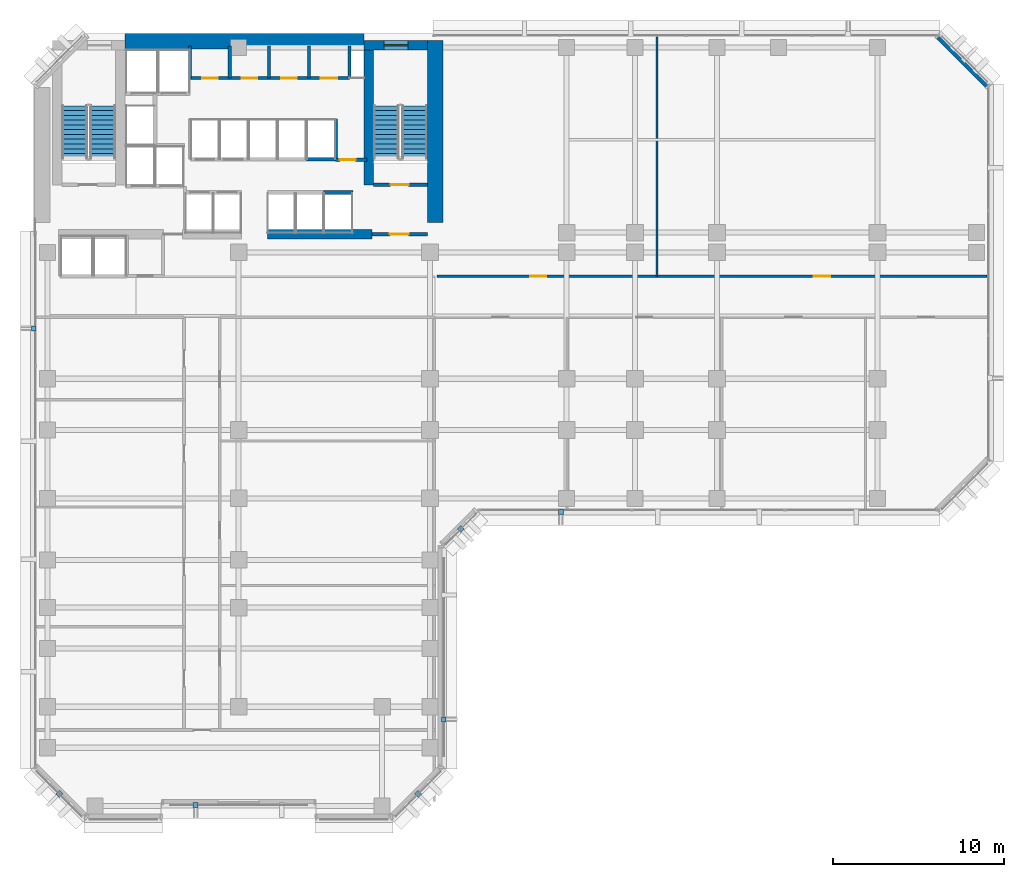
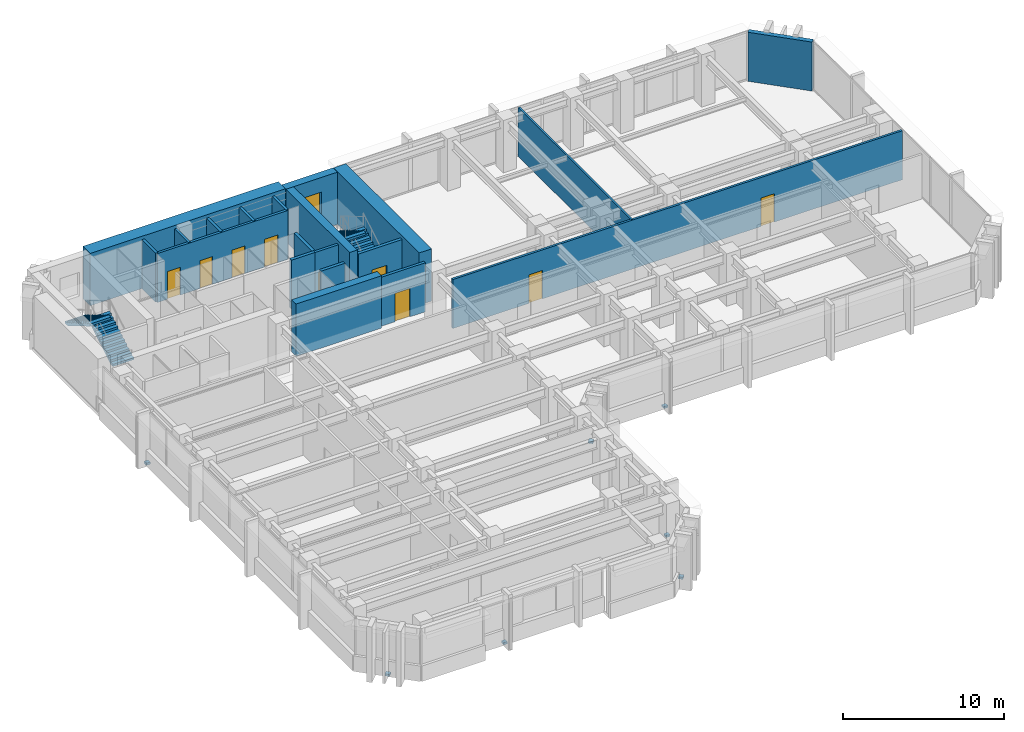
# One storey, part 8 of 14: 20 walls, 9 doors, 7 discrete accessories, 4 stair flights, 1 window, 10 openings, 2 elements without a shape of their own.
"""IFC4 building model written with IfcOpenShell, lengths in metres."""

from ifc_helpers import new_model, si_unit, direction, frame, frame_2d, origin, origin_2d, place, context, subcontext, project, spatial, polyline, rectangle, outline, extrude, material, layer, layer_set, type_object, element, fill, aggregate, save


model = new_model("IFC4")

# Units and contexts
model_context = context("Model", 3, precision=1e-05, world=origin(), true_north=direction((0.0, 1.0)))
body_context = subcontext(model_context, "Body", "Model", "MODEL_VIEW")
ifc_project = project(units=[si_unit("LENGTHUNIT", "METRE"), si_unit("AREAUNIT", "SQUARE_METRE"), si_unit("VOLUMEUNIT", "CUBIC_METRE"), si_unit("PLANEANGLEUNIT", "RADIAN"), si_unit("MASSUNIT", "GRAM", prefix="KILO")], contexts=[model_context])

# Site, building, storey
site_placement = place(None, origin())
site = spatial("IfcSite", under=ifc_project, at=site_placement, CompositionType="ELEMENT")
building_placement = place(site_placement, origin())
building = spatial("IfcBuilding", under=site, at=building_placement, Name="Kefirva Bronze Tower", CompositionType="ELEMENT")
storey_placement = place(building_placement, frame((0.0, 0.0, 50.159912109375)))
storey = spatial("IfcBuildingStorey", under=building, at=storey_placement, Name="L11", CompositionType="ELEMENT", Elevation=50.159912109375)

# Wall
ifc_material_1 = material(Name="Gypsum acoustic partition")
ifc_layer_1 = layer(ifc_material_1, 0.1298828125, Name="Gypsum acoustic partition")
ifc_layer_set_1 = layer_set([ifc_layer_1], Name="Gypsum acoustic partition")
wall_type_1 = type_object("IfcWallType", Name="Acoustic Office Partition 130mm", PredefinedType="PARTITIONING", material=ifc_layer_set_1)
wall_1_placement = place(storey_placement, frame((36.48388671875, 31.800048828125, 0.0), z_axis=(0.0, 0.0, 1.0), x_axis=(0.0, 1.0, 0.0)))
element("IfcWall", 1, at=wall_1_placement, inside=storey, type_object=wall_type_1, Name="L11 Partition W-L11-END1", PredefinedType="PARTITIONING", context=body_context, shape_type="SweptSolid", body=[
    extrude(rectangle(XDim=14.010009765625, YDim=0.1298828125, at=frame_2d((7.0048828125, 0.0))), origin(), (0.0, 0.0, 1.0), 3.710205078125),
])

# Wall, opening, door
ifc_material_2 = material(Name="Gypsum fireboard shaftwall")
ifc_layer_2 = layer(ifc_material_2, 0.219970703125, Name="Gypsum fireboard shaftwall")
ifc_layer_set_2 = layer_set([ifc_layer_2], Name="Gypsum fireboard shaftwall")
wall_type_2 = type_object("IfcWallType", Name="Fire-Rated Shaft Enclosure Wall 220mm", PredefinedType="PARTITIONING", material=ifc_layer_set_2)
wall_2_placement = place(storey_placement, frame((19.89990234375, 37.14990234375, 0.0), z_axis=(0.0, 0.0, 1.0), x_axis=(1.0, 0.0, 0.0)))
wall_2 = element("IfcWall", 2, at=wall_2_placement, inside=storey, type_object=wall_type_2, Name="L11 Partition W-L11-ST2S", PredefinedType="PARTITIONING", context=body_context, shape_type="SweptSolid", body=[
    extrude(rectangle(XDim=3.150146484375, YDim=0.219970703125, at=frame_2d((1.5751953125, 0.0))), origin(), (0.0, 0.0, 1.0), 3.710205078125),
])
opening_1_placement = place(wall_2_placement, frame((2.050048828125, 0.0, 0.0), z_axis=(0.0, 0.0, 1.0), x_axis=(-1.0, 0.0, 0.0)))
opening_1 = element("IfcOpeningElement", 3, at=opening_1_placement, cuts=wall_2, Name="Opening L11-D003", PredefinedType="OPENING", context=body_context, shape_type="SweptSolid", body=[
    extrude(rectangle(XDim=1.050048828125, YDim=2.14990234375, at=frame_2d((0.52490234375, 1.074951171875))), frame((0.0, 0.1201171875, 0.0), z_axis=(0.0, -1.0, 0.0), x_axis=(1.0, 0.0, 0.0)), (0.0, 0.0, 1.0), 0.239990234375),
])
ifc_material_3 = material(Name="Painted galvanized steel", Category="steel")
door_type_1 = type_object("IfcDoorType", Name="Fire Stair Enclosure Door 1050x2150 FD90S", OperationType="NOTDEFINED", PredefinedType="DOOR", material=ifc_material_3)
door_1_placement = place(opening_1_placement, origin())
door_1 = element("IfcDoor", 4, at=door_1_placement, inside=storey, type_object=door_type_1, Name="Door L11-D003", OperationType="SINGLE_SWING_LEFT", OverallHeight=2.14990234375, OverallWidth=1.050048828125, PredefinedType="DOOR", context=body_context, shape_type="SweptSolid", body=[
    extrude(rectangle(XDim=1.050048828125, YDim=2.14990234375, at=frame_2d((0.52490234375, 1.074951171875))), frame((0.0, 0.02490234375, 0.0), z_axis=(0.0, -1.0, 0.0), x_axis=(1.0, 0.0, 0.0)), (0.0, 0.0, 1.0), 0.050048828125),
])
fill(opening_1, door_1)

# Walls
wall_3_placement = place(storey_placement, frame((17.679931640625, 38.64990234375, 0.0), z_axis=(0.0, 0.0, 1.0), x_axis=(0.0, 1.0, 0.0)))
element("IfcWall", 5, at=wall_3_placement, inside=storey, type_object=wall_type_2, Name="L11 Partition W-L11-HP2E", PredefinedType="PARTITIONING", context=body_context, shape_type="SweptSolid", body=[
    extrude(rectangle(XDim=2.35009765625, YDim=0.199951171875, at=frame_2d((1.175048828125, 0.0))), origin(), (0.0, 0.0, 1.0), 3.710205078125),
])
wall_4_placement = place(storey_placement, frame((16.97998046875, 36.699951171875, 0.0), z_axis=(0.0, 0.0, 1.0), x_axis=(1.0, 0.0, 0.0)))
element("IfcWall", 6, at=wall_4_placement, inside=storey, type_object=wall_type_2, Name="L11 Partition W-L11-HPS", PredefinedType="PARTITIONING", context=body_context, shape_type="SweptSolid", body=[
    extrude(rectangle(XDim=1.699951171875, YDim=0.219970703125, at=frame_2d((0.85009765625, 0.0))), origin(), (0.0, 0.0, 1.0), 3.710205078125),
])
wall_5_placement = place(storey_placement, frame((15.97998046875, 38.64990234375, 0.0), z_axis=(0.0, 0.0, 1.0), x_axis=(1.0, 0.0, 0.0)))
element("IfcWall", 7, at=wall_5_placement, inside=storey, type_object=wall_type_2, Name="L11 Partition W-L11-HPN", PredefinedType="PARTITIONING", context=body_context, shape_type="SweptSolid", body=[
    extrude(rectangle(XDim=1.719970703125, YDim=0.219970703125, at=frame_2d((0.85986328125, 0.0))), origin(), (0.0, 0.0, 1.0), 3.710205078125),
])

# Wall, opening, door
ifc_material_4 = material(Name="Gypsum fireboard barrier")
ifc_layer_3 = layer(ifc_material_4, 0.199951171875, Name="Gypsum fireboard barrier")
ifc_layer_set_3 = layer_set([ifc_layer_3], Name="Gypsum fireboard barrier")
wall_type_3 = type_object("IfcWallType", Name="Firefighting Lobby Barrier Wall 200mm", PredefinedType="PARTITIONING", material=ifc_layer_set_3)
wall_6_placement = place(storey_placement, frame((19.800048828125, 34.25, 0.0), z_axis=(0.0, 0.0, 1.0), x_axis=(1.0, 0.0, 0.0)))
wall_6 = element("IfcWall", 8, at=wall_6_placement, inside=storey, type_object=wall_type_3, Name="L11 Partition W-L11-ST2F", PredefinedType="PARTITIONING", context=body_context, shape_type="SweptSolid", body=[
    extrude(rectangle(XDim=3.25, YDim=0.199951171875, at=frame_2d((1.625, 0.0))), origin(), (0.0, 0.0, 1.0), 3.710205078125),
])
opening_2_placement = place(wall_6_placement, frame((2.150146484375, 0.0, 0.0), z_axis=(0.0, 0.0, 1.0), x_axis=(-1.0, 0.0, 0.0)))
opening_2 = element("IfcOpeningElement", 9, at=opening_2_placement, cuts=wall_6, Name="Opening L11-D004", PredefinedType="OPENING", context=body_context, shape_type="SweptSolid", body=[
    extrude(rectangle(XDim=1.10009765625, YDim=2.14990234375, at=frame_2d((0.550048828125, 1.074951171875))), frame((0.0, 0.10986328125, 0.0), z_axis=(0.0, -1.0, 0.0), x_axis=(1.0, 0.0, 0.0)), (0.0, 0.0, 1.0), 0.219970703125),
])
door_type_2 = type_object("IfcDoorType", Name="Firefighting Lobby Smoke Door 1100x2150 FD60S", OperationType="NOTDEFINED", PredefinedType="DOOR", material=ifc_material_3)
door_2_placement = place(opening_2_placement, origin())
door_2 = element("IfcDoor", 10, at=door_2_placement, inside=storey, type_object=door_type_2, Name="Door L11-D004", OperationType="SINGLE_SWING_RIGHT", OverallHeight=2.14990234375, OverallWidth=1.10009765625, PredefinedType="DOOR", context=body_context, shape_type="SweptSolid", body=[
    extrude(rectangle(XDim=1.10009765625, YDim=2.14990234375, at=frame_2d((0.550048828125, 1.074951171875))), frame((0.0, 0.02490234375, 0.0), z_axis=(0.0, -1.0, 0.0), x_axis=(1.0, 0.0, 0.0)), (0.0, 0.0, 1.0), 0.050048828125),
])
fill(opening_2, door_2)

wall_7_placement = place(storey_placement, frame((17.679931640625, 38.6201171875, 0.0), z_axis=(0.0, 0.0, 1.0), x_axis=(1.0, 0.0, 0.0)))
wall_7 = element("IfcWall", 11, at=wall_7_placement, inside=storey, type_object=wall_type_3, Name="L11 Partition W-L11-CPASS", PredefinedType="PARTITIONING", context=body_context, shape_type="SweptSolid", body=[
    extrude(rectangle(XDim=1.840087890625, YDim=0.179931640625, at=frame_2d((0.919921875, 0.0))), origin(), (0.0, 0.0, 1.0), 3.710205078125),
])
opening_3_placement = place(wall_7_placement, frame((0.239990234375, 0.0, 0.0)))
opening_3 = element("IfcOpeningElement", 12, at=opening_3_placement, cuts=wall_7, Name="Opening L11-D-CPAS", PredefinedType="OPENING", context=body_context, shape_type="SweptSolid", body=[
    extrude(rectangle(XDim=0.919921875, YDim=2.10009765625, at=frame_2d((0.4599609375, 1.050048828125))), frame((0.0, 0.10009765625, 0.0), z_axis=(0.0, -1.0, 0.0), x_axis=(1.0, 0.0, 0.0)), (0.0, 0.0, 1.0), 0.199951171875),
])
ifc_material_5 = material(Name="Moisture-resistant timber", Category="wood")
door_type_3 = type_object("IfcDoorType", Name="Accessible Sanitary & WC Door 920x2100", OperationType="NOTDEFINED", PredefinedType="DOOR", material=ifc_material_5)
door_3_placement = place(opening_3_placement, origin())
door_3 = element("IfcDoor", 13, at=door_3_placement, inside=storey, type_object=door_type_3, Name="Door L11-D-CPAS", OperationType="SINGLE_SWING_LEFT", OverallHeight=2.10009765625, OverallWidth=0.919921875, PredefinedType="DOOR", context=body_context, shape_type="SweptSolid", body=[
    extrude(rectangle(XDim=0.919921875, YDim=2.10009765625, at=frame_2d((0.4599609375, 1.050048828125))), frame((0.0, 0.02490234375, 0.0), z_axis=(0.0, -1.0, 0.0), x_axis=(1.0, 0.0, 0.0)), (0.0, 0.0, 1.0), 0.050048828125),
])
fill(opening_3, door_3)

# Wall
ifc_material_6 = material(Name="Precast concrete C40/50", Category="concrete")
ifc_layer_4 = layer(ifc_material_6, 0.320068359375, Name="Precast concrete C40/50")
ifc_layer_set_4 = layer_set([ifc_layer_4], Name="Precast concrete C40/50")
wall_type_4 = type_object("IfcWallType", Name="Precast Insulated Exterior Wall 320mm", PredefinedType="SOLIDWALL", material=ifc_layer_set_4)
wall_8_placement = place(storey_placement, frame((55.847900390625, 42.92578125, 0.0), z_axis=(0.0, 0.0, 1.0), x_axis=(-0.707106781187, 0.707106781187, 0.0)))
element("IfcWall", 14, at=wall_8_placement, inside=storey, type_object=wall_type_4, Name="L11 Exterior Facade Wall 8", PredefinedType="SOLIDWALL", context=body_context, shape_type="SweptSolid", body=[
    extrude(rectangle(XDim=4.132568359375, YDim=0.320068359375, at=frame_2d((2.06640625, 0.0))), origin(), (0.0, 0.0, 1.0), 3.710205078125),
])

# Wall, openings, doors
ifc_layer_5 = layer(ifc_material_1, 0.159912109375, Name="Gypsum acoustic partition")
ifc_layer_set_5 = layer_set([ifc_layer_5], Name="Gypsum acoustic partition")
wall_type_5 = type_object("IfcWallType", Name="Protected Corridor Partition 160mm", PredefinedType="PARTITIONING", material=ifc_layer_set_5)
wall_9_placement = place(storey_placement, frame((23.60009765625, 31.800048828125, 0.0), z_axis=(0.0, 0.0, 1.0), x_axis=(1.0, 0.0, 0.0)))
wall_9 = element("IfcWall", 15, at=wall_9_placement, inside=storey, type_object=wall_type_5, Name="L11 Partition W-L11-EWN", PredefinedType="PARTITIONING", context=body_context, shape_type="SweptSolid", body=[
    extrude(rectangle(XDim=32.2099609375, YDim=0.159912109375, at=frame_2d((16.10498046875, 0.0))), origin(), (0.0, 0.0, 1.0), 3.710205078125),
])
opening_4_placement = place(wall_9_placement, frame((5.467041015625, 0.0, 0.0)))
opening_4 = element("IfcOpeningElement", 16, at=opening_4_placement, cuts=wall_9, Name="Opening L11-D-EN1", PredefinedType="OPENING", context=body_context, shape_type="SweptSolid", body=[
    extrude(rectangle(XDim=0.949951171875, YDim=2.14990234375, at=frame_2d((0.47509765625, 1.074951171875))), frame((0.0, 0.08984375, 0.0), z_axis=(0.0, -1.0, 0.0), x_axis=(1.0, 0.0, 0.0)), (0.0, 0.0, 1.0), 0.179931640625),
])
opening_5_placement = place(wall_9_placement, frame((22.072021484375, 0.0, 0.0)))
opening_5 = element("IfcOpeningElement", 17, at=opening_5_placement, cuts=wall_9, Name="Opening L11-D-EN2", PredefinedType="OPENING", context=body_context, shape_type="SweptSolid", body=[
    extrude(rectangle(XDim=0.949951171875, YDim=2.14990234375, at=frame_2d((0.47509765625, 1.074951171875))), frame((0.0, 0.08984375, 0.0), z_axis=(0.0, -1.0, 0.0), x_axis=(1.0, 0.0, 0.0)), (0.0, 0.0, 1.0), 0.179931640625),
])
ifc_material_7 = material(Name="Acoustic hardwood oak", Category="wood")
door_type_4 = type_object("IfcDoorType", Name="Office & Meeting Room Door 950x2150", OperationType="NOTDEFINED", PredefinedType="DOOR", material=ifc_material_7)
door_4_placement = place(opening_4_placement, origin())
door_4 = element("IfcDoor", 18, at=door_4_placement, inside=storey, type_object=door_type_4, Name="Door L11-D-EN1", OperationType="SINGLE_SWING_LEFT", OverallHeight=2.14990234375, OverallWidth=0.949951171875, PredefinedType="DOOR", context=body_context, shape_type="SweptSolid", body=[
    extrude(rectangle(XDim=0.949951171875, YDim=2.14990234375, at=frame_2d((0.47509765625, 1.074951171875))), frame((0.0, 0.02490234375, 0.0), z_axis=(0.0, -1.0, 0.0), x_axis=(1.0, 0.0, 0.0)), (0.0, 0.0, 1.0), 0.050048828125),
])
fill(opening_4, door_4)
door_5_placement = place(opening_5_placement, origin())
door_5 = element("IfcDoor", 19, at=door_5_placement, inside=storey, type_object=door_type_4, Name="Door L11-D-EN2", OperationType="SINGLE_SWING_RIGHT", OverallHeight=2.14990234375, OverallWidth=0.949951171875, PredefinedType="DOOR", context=body_context, shape_type="SweptSolid", body=[
    extrude(rectangle(XDim=0.949951171875, YDim=2.14990234375, at=frame_2d((0.47509765625, 1.074951171875))), frame((0.0, 0.02490234375, 0.0), z_axis=(0.0, -1.0, 0.0), x_axis=(1.0, 0.0, 0.0)), (0.0, 0.0, 1.0), 0.050048828125),
])
fill(opening_5, door_5)

# Wall, opening, window
ifc_material_8 = material(Name="Concrete C50/60", Category="concrete")
ifc_layer_6 = layer(ifc_material_8, 0.550048828125, Name="Concrete C50/60")
ifc_layer_set_6 = layer_set([ifc_layer_6], Name="Concrete C50/60")
wall_type_6 = type_object("IfcWallType", Name="RC Rear Core Exterior Wall 550mm", PredefinedType="SHEAR", material=ifc_layer_set_6)
wall_10_placement = place(storey_placement, frame((19.35009765625, 45.320068359375, 0.0), z_axis=(0.0, 0.0, 1.0), x_axis=(1.0, 0.0, 0.0)))
wall_10 = element("IfcWall", 20, at=wall_10_placement, inside=storey, type_object=wall_type_6, Name="L11 Stair 2 North Shear Wall", PredefinedType="SHEAR", context=body_context, shape_type="SweptSolid", body=[
    extrude(rectangle(XDim=3.68994140625, YDim=0.550048828125, at=frame_2d((1.844970703125, 0.0))), origin(), (0.0, 0.0, 1.0), 3.960205078125),
])
opening_6_placement = place(wall_10_placement, frame((1.14990234375, 0.0, 1.050048828125)))
opening_6 = element("IfcOpeningElement", 21, at=opening_6_placement, cuts=wall_10, Name="Opening WN-03", PredefinedType="OPENING", context=body_context, shape_type="SweptSolid", body=[
    extrude(rectangle(XDim=1.39990234375, YDim=1.800048828125, at=frame_2d((0.699951171875, 0.89990234375))), frame((0.0, 0.28515625, 0.0), z_axis=(0.0, -1.0, 0.0), x_axis=(1.0, 0.0, 0.0)), (0.0, 0.0, 1.0), 0.570068359375),
])
ifc_material_9 = material(Name="Laminated low-E double glazing", Category="glass")
window_type = type_object("IfcWindowType", Name="Rear-Core Stair Daylight Window 1400x1800", PartitioningType="SINGLE_PANEL", PredefinedType="WINDOW", material=ifc_material_9)
window_placement = place(opening_6_placement, origin())
window = element("IfcWindow", 22, at=window_placement, inside=storey, type_object=window_type, Name="L11 Stair 2 Daylight Window", OverallHeight=1.800048828125, OverallWidth=1.39990234375, PartitioningType="SINGLE_PANEL", PredefinedType="WINDOW", context=body_context, shape_type="SweptSolid", body=[
    extrude(rectangle(XDim=1.39990234375, YDim=1.800048828125, at=frame_2d((0.699951171875, 0.89990234375))), frame((0.0, 0.030029296875, 0.0), z_axis=(0.0, -1.0, 0.0), x_axis=(1.0, 0.0, 0.0)), (0.0, 0.0, 1.0), 0.06005859375),
])
fill(opening_6, window)

# Walls
ifc_material_10 = material(Name="Concrete C60/75", Category="concrete")
ifc_layer_7 = layer(ifc_material_10, 0.89990234375, Name="Concrete C60/75")
ifc_layer_set_7 = layer_set([ifc_layer_7], Name="Concrete C60/75")
wall_type_7 = type_object("IfcWallType", Name="RC Rear Core Exterior Wall 900mm", PredefinedType="SHEAR", material=ifc_layer_set_7)
wall_11_placement = place(storey_placement, frame((5.360107421875, 45.550048828125, 0.0), z_axis=(0.0, 0.0, 1.0), x_axis=(1.0, 0.0, 0.0)))
element("IfcWall", 23, at=wall_11_placement, inside=storey, type_object=wall_type_7, Name="L11 Rear Core North Shear Wall", PredefinedType="SHEAR", context=body_context, shape_type="SweptSolid", body=[
    extrude(rectangle(XDim=13.97998046875, YDim=0.89990234375, at=frame_2d((6.989990234375, 0.0))), origin(), (0.0, 0.0, 1.0), 3.960205078125),
])
ifc_layer_8 = layer(ifc_material_8, 0.550048828125, Name="Concrete C50/60")
ifc_layer_set_8 = layer_set([ifc_layer_8], Name="Concrete C50/60")
wall_type_8 = type_object("IfcWallType", Name="RC Rear Core Interior Wall 550mm", PredefinedType="SHEAR", material=ifc_layer_set_8)
wall_12_placement = place(storey_placement, frame((19.6201171875, 37.14990234375, 0.0), z_axis=(0.0, 0.0, 1.0), x_axis=(0.0, 1.0, 0.0)))
element("IfcWall", 24, at=wall_12_placement, inside=storey, type_object=wall_type_8, Name="L11 Stair 2 West Shear Wall", PredefinedType="SHEAR", context=body_context, shape_type="SweptSolid", body=[
    extrude(rectangle(XDim=7.89013671875, YDim=0.550048828125, at=frame_2d((3.945068359375, 0.0))), origin(), (0.0, 0.0, 1.0), 3.960205078125),
])
ifc_layer_9 = layer(ifc_material_10, 0.89990234375, Name="Concrete C60/75")
ifc_layer_set_9 = layer_set([ifc_layer_9], Name="Concrete C60/75")
wall_type_9 = type_object("IfcWallType", Name="RC Rear Core Interior Wall 900mm", PredefinedType="SHEAR", material=ifc_layer_set_9)
wall_13_placement = place(storey_placement, frame((23.5, 34.949951171875, 0.0), z_axis=(0.0, 0.0, 1.0), x_axis=(0.0, 1.0, 0.0)))
element("IfcWall", 25, at=wall_13_placement, inside=storey, type_object=wall_type_9, Name="L11 Rear Core East Shear Wall", PredefinedType="SHEAR", context=body_context, shape_type="SweptSolid", body=[
    extrude(rectangle(XDim=10.64013671875, YDim=0.89990234375, at=frame_2d((5.320068359375, 0.0))), origin(), (0.0, 0.0, 1.0), 3.960205078125),
])
wall_14_placement = place(storey_placement, frame((13.679931640625, 34.25, 0.0), z_axis=(0.0, 0.0, 1.0), x_axis=(1.0, 0.0, 0.0)))
element("IfcWall", 26, at=wall_14_placement, inside=storey, type_object=wall_type_9, Name="L11 Rear Core South-East Shear Wall", PredefinedType="SHEAR", context=body_context, shape_type="SweptSolid", body=[
    extrude(rectangle(XDim=6.1201171875, YDim=0.550048828125, at=frame_2d((3.06005859375, 0.0))), origin(), (0.0, 0.0, 1.0), 3.960205078125),
])

# Wall, openings, doors
ifc_material_11 = material(Name="Moisture-resistant partition")
ifc_layer_10 = layer(ifc_material_11, 0.179931640625, Name="Moisture-resistant partition")
ifc_layer_set_10 = layer_set([ifc_layer_10], Name="Moisture-resistant partition")
wall_type_10 = type_object("IfcWallType", Name="Sanitary Plumbing Chase Wall 180mm", PredefinedType="PLUMBINGWALL", material=ifc_layer_set_10)
wall_15_placement = place(storey_placement, frame((9.14990234375, 43.39990234375, 0.0), z_axis=(0.0, 0.0, 1.0), x_axis=(1.0, 0.0, 0.0)))
wall_15 = element("IfcWall", 27, at=wall_15_placement, inside=storey, type_object=wall_type_10, Name="L11 Partition W-L11-SVCS", PredefinedType="PLUMBINGWALL", context=body_context, shape_type="SweptSolid", body=[
    extrude(rectangle(XDim=9.330078125, YDim=0.179931640625, at=frame_2d((4.6650390625, 0.0))), origin(), (0.0, 0.0, 1.0), 3.710205078125),
])
opening_7_placement = place(wall_15_placement, frame((0.719970703125, 0.0, 0.0)))
opening_7 = element("IfcOpeningElement", 28, at=opening_7_placement, cuts=wall_15, Name="Opening L11-D-CSVC1", PredefinedType="OPENING", context=body_context, shape_type="SweptSolid", body=[
    extrude(rectangle(XDim=0.919921875, YDim=2.10009765625, at=frame_2d((0.4599609375, 1.050048828125))), frame((0.0, 0.10009765625, 0.0), z_axis=(0.0, -1.0, 0.0), x_axis=(1.0, 0.0, 0.0)), (0.0, 0.0, 1.0), 0.199951171875),
])
opening_8_placement = place(wall_15_placement, frame((3.02001953125, 0.0, 0.0)))
opening_8 = element("IfcOpeningElement", 29, at=opening_8_placement, cuts=wall_15, Name="Opening L11-D-CSVC2", PredefinedType="OPENING", context=body_context, shape_type="SweptSolid", body=[
    extrude(rectangle(XDim=0.919921875, YDim=2.10009765625, at=frame_2d((0.4599609375, 1.050048828125))), frame((0.0, 0.10009765625, 0.0), z_axis=(0.0, -1.0, 0.0), x_axis=(1.0, 0.0, 0.0)), (0.0, 0.0, 1.0), 0.199951171875),
])
opening_9_placement = place(wall_15_placement, frame((5.340087890625, 0.0, 0.0)))
opening_9 = element("IfcOpeningElement", 30, at=opening_9_placement, cuts=wall_15, Name="Opening L11-D-CSVC3", PredefinedType="OPENING", context=body_context, shape_type="SweptSolid", body=[
    extrude(rectangle(XDim=0.919921875, YDim=2.10009765625, at=frame_2d((0.4599609375, 1.050048828125))), frame((0.0, 0.10009765625, 0.0), z_axis=(0.0, -1.0, 0.0), x_axis=(1.0, 0.0, 0.0)), (0.0, 0.0, 1.0), 0.199951171875),
])
opening_10_placement = place(wall_15_placement, frame((7.659912109375, 0.0, 0.0)))
opening_10 = element("IfcOpeningElement", 31, at=opening_10_placement, cuts=wall_15, Name="Opening L11-D-CSVC4", PredefinedType="OPENING", context=body_context, shape_type="SweptSolid", body=[
    extrude(rectangle(XDim=0.949951171875, YDim=2.10009765625, at=frame_2d((0.47509765625, 1.050048828125))), frame((0.0, 0.10009765625, 0.0), z_axis=(0.0, -1.0, 0.0), x_axis=(1.0, 0.0, 0.0)), (0.0, 0.0, 1.0), 0.199951171875),
])
door_6_placement = place(opening_7_placement, origin())
door_6 = element("IfcDoor", 32, at=door_6_placement, inside=storey, type_object=door_type_3, Name="Door L11-D-CSVC1", OperationType="SINGLE_SWING_LEFT", OverallHeight=2.10009765625, OverallWidth=0.919921875, PredefinedType="DOOR", context=body_context, shape_type="SweptSolid", body=[
    extrude(rectangle(XDim=0.919921875, YDim=2.10009765625, at=frame_2d((0.4599609375, 1.050048828125))), frame((0.0, 0.02490234375, 0.0), z_axis=(0.0, -1.0, 0.0), x_axis=(1.0, 0.0, 0.0)), (0.0, 0.0, 1.0), 0.050048828125),
])
fill(opening_7, door_6)
door_7_placement = place(opening_8_placement, origin())
door_7 = element("IfcDoor", 33, at=door_7_placement, inside=storey, type_object=door_type_3, Name="Door L11-D-CSVC2", OperationType="SINGLE_SWING_RIGHT", OverallHeight=2.10009765625, OverallWidth=0.919921875, PredefinedType="DOOR", context=body_context, shape_type="SweptSolid", body=[
    extrude(rectangle(XDim=0.919921875, YDim=2.10009765625, at=frame_2d((0.4599609375, 1.050048828125))), frame((0.0, 0.02490234375, 0.0), z_axis=(0.0, -1.0, 0.0), x_axis=(1.0, 0.0, 0.0)), (0.0, 0.0, 1.0), 0.050048828125),
])
fill(opening_8, door_7)
door_8_placement = place(opening_9_placement, origin())
door_8 = element("IfcDoor", 34, at=door_8_placement, inside=storey, type_object=door_type_3, Name="Door L11-D-CSVC3", OperationType="SINGLE_SWING_LEFT", OverallHeight=2.10009765625, OverallWidth=0.919921875, PredefinedType="DOOR", context=body_context, shape_type="SweptSolid", body=[
    extrude(rectangle(XDim=0.919921875, YDim=2.10009765625, at=frame_2d((0.4599609375, 1.050048828125))), frame((0.0, 0.02490234375, 0.0), z_axis=(0.0, -1.0, 0.0), x_axis=(1.0, 0.0, 0.0)), (0.0, 0.0, 1.0), 0.050048828125),
])
fill(opening_9, door_8)
door_type_5 = type_object("IfcDoorType", Name="Riser & Plant Shaft Fire Door 950x2100 FD60S", OperationType="NOTDEFINED", PredefinedType="DOOR", material=ifc_material_3)
door_9_placement = place(opening_10_placement, origin())
door_9 = element("IfcDoor", 35, at=door_9_placement, inside=storey, type_object=door_type_5, Name="Door L11-D-CSVC4", OperationType="SINGLE_SWING_RIGHT", OverallHeight=2.10009765625, OverallWidth=0.949951171875, PredefinedType="DOOR", context=body_context, shape_type="SweptSolid", body=[
    extrude(rectangle(XDim=0.949951171875, YDim=2.10009765625, at=frame_2d((0.47509765625, 1.050048828125))), frame((0.0, 0.02490234375, 0.0), z_axis=(0.0, -1.0, 0.0), x_axis=(1.0, 0.0, 0.0)), (0.0, 0.0, 1.0), 0.050048828125),
])
fill(opening_10, door_9)

# Walls
for number, where, z_axis, x_axis, name in (
    (36, (9.14990234375, 43.39990234375, 0.0), (0.0, 0.0, 1.0), (0.0, 1.0, 0.0), "L11 Partition W-L11-SVCW"),
    (37, (18.47998046875, 43.39990234375, 0.0), (0.0, 0.0, 1.0), (0.0, 1.0, 0.0), "L11 Partition W-L11-SVCE"),
    (38, (11.47998046875, 43.39990234375, 0.0), (0.0, 0.0, 1.0), (0.0, 1.0, 0.0), "L11 Partition W-L11-CSVD-1"),
    (39, (13.780029296875, 43.39990234375, 0.0), (0.0, 0.0, 1.0), (0.0, 1.0, 0.0), "L11 Partition W-L11-CSVD-2"),
    (40, (16.1201171875, 43.39990234375, 0.0), (0.0, 0.0, 1.0), (0.0, 1.0, 0.0), "L11 Partition W-L11-CSVD-3"),
):
    element("IfcWall", number, at=place(storey_placement, frame(where, z_axis=z_axis, x_axis=x_axis)), inside=storey, type_object=wall_type_10, Name=name, PredefinedType="PLUMBINGWALL", context=body_context, shape_type="SweptSolid", body=[
        extrude(rectangle(XDim=1.880126953125, YDim=0.179931640625, at=frame_2d((0.93994140625, 0.0))), origin(), (0.0, 0.0, 1.0), 3.710205078125),
    ])

# Stair, stair flights
ifc_material_12 = material(Name="Concrete C40/50", Category="concrete")
stair_type = type_object("IfcStairType", Name="RC Dogleg Protected Stair 24R", PredefinedType="HALF_TURN_STAIR", material=ifc_material_12)
stair_1_placement = place(storey_placement, origin())
stair_1 = element("IfcStair", 41, at=stair_1_placement, inside=storey, type_object=stair_type, Name="L11 Protected Exit Stair 1", PredefinedType="HALF_TURN_STAIR")
stair_flight_type = type_object("IfcStairFlightType", Name="RC Straight Stair Flight 24R", PredefinedType="STRAIGHT", material=ifc_material_12)
stair_flight_1_placement = place(storey_placement, frame((4.050048828125, 38.699951171875, 0.0), z_axis=(0.0, 0.0, 1.0), x_axis=(0.0, 1.0, 0.0)))
stair_flight_1 = element("IfcStairFlight", 42, at=stair_flight_1_placement, type_object=stair_flight_type, Name="ST-1 flight 1", NumberOfRisers=12, NumberOfTreads=11, PredefinedType="STRAIGHT", RiserHeight=0.165, TreadLength=0.28, context=body_context, shape_type="SweptSolid", body=[
    extrude(outline(polyline([(0.0, 0.0), (0.0, 0.1650390625), (0.280029296875, 0.1650390625), (0.280029296875, 0.330078125), (0.56005859375, 0.330078125), (0.56005859375, 0.4951171875), (0.840087890625, 0.4951171875), (0.840087890625, 0.659912109375), (1.1201171875, 0.659912109375), (1.1201171875, 0.824951171875), (1.39990234375, 0.824951171875), (1.39990234375, 0.989990234375), (1.679931640625, 0.989990234375), (1.679931640625, 1.155029296875), (1.9599609375, 1.155029296875), (1.9599609375, 1.320068359375), (2.239990234375, 1.320068359375), (2.239990234375, 1.485107421875), (2.52001953125, 1.485107421875), (2.52001953125, 1.64990234375), (2.800048828125, 1.64990234375), (2.800048828125, 1.81494140625), (3.080078125, 1.81494140625), (3.080078125, 1.97998046875), (3.080078125, 1.64111328125), (0.295166015625, 0.0), (0.0, 0.0)])), frame((0.0, 0.75, 0.0), z_axis=(0.0, -1.0, 0.0), x_axis=(1.0, 0.0, 0.0)), (0.0, 0.0, 1.0), 1.5),
])
stair_flight_2_placement = place(storey_placement, frame((2.39990234375, 41.780029296875, 1.97998046875), z_axis=(0.0, 0.0, 1.0), x_axis=(0.0, -1.0, 0.0)))
stair_flight_2 = element("IfcStairFlight", 43, at=stair_flight_2_placement, type_object=stair_flight_type, Name="ST-1 flight 2", NumberOfRisers=12, NumberOfTreads=11, PredefinedType="STRAIGHT", RiserHeight=0.165, TreadLength=0.28, context=body_context, shape_type="SweptSolid", body=[
    extrude(outline(polyline([(0.0, 0.0), (0.0, 0.1650390625), (0.280029296875, 0.1650390625), (0.280029296875, 0.330078125), (0.56005859375, 0.330078125), (0.56005859375, 0.4951171875), (0.840087890625, 0.4951171875), (0.840087890625, 0.659912109375), (1.1201171875, 0.659912109375), (1.1201171875, 0.824951171875), (1.39990234375, 0.824951171875), (1.39990234375, 0.989990234375), (1.679931640625, 0.989990234375), (1.679931640625, 1.155029296875), (1.9599609375, 1.155029296875), (1.9599609375, 1.320068359375), (2.239990234375, 1.320068359375), (2.239990234375, 1.485107421875), (2.52001953125, 1.485107421875), (2.52001953125, 1.64990234375), (2.800048828125, 1.64990234375), (2.800048828125, 1.81494140625), (3.080078125, 1.81494140625), (3.080078125, 1.97998046875), (3.080078125, 1.64111328125), (0.295166015625, 0.0), (0.0, 0.0)])), frame((0.0, 0.75, 0.0), z_axis=(0.0, -1.0, 0.0), x_axis=(1.0, 0.0, 0.0)), (0.0, 0.0, 1.0), 1.5),
])
aggregate(stair_1, [stair_flight_1, stair_flight_2])

stair_2_placement = place(storey_placement, origin())
stair_2 = element("IfcStair", 44, at=stair_2_placement, inside=storey, type_object=stair_type, Name="L11 Protected Exit Stair 2", PredefinedType="HALF_TURN_STAIR")
stair_flight_3_placement = place(storey_placement, frame((22.300048828125, 38.699951171875, 0.0), z_axis=(0.0, 0.0, 1.0), x_axis=(0.0, 1.0, 0.0)))
stair_flight_3 = element("IfcStairFlight", 45, at=stair_flight_3_placement, type_object=stair_flight_type, Name="ST-2 flight 1", NumberOfRisers=12, NumberOfTreads=11, PredefinedType="STRAIGHT", RiserHeight=0.165, TreadLength=0.28, context=body_context, shape_type="SweptSolid", body=[
    extrude(outline(polyline([(0.0, 0.0), (0.0, 0.1650390625), (0.280029296875, 0.1650390625), (0.280029296875, 0.330078125), (0.56005859375, 0.330078125), (0.56005859375, 0.4951171875), (0.840087890625, 0.4951171875), (0.840087890625, 0.659912109375), (1.1201171875, 0.659912109375), (1.1201171875, 0.824951171875), (1.39990234375, 0.824951171875), (1.39990234375, 0.989990234375), (1.679931640625, 0.989990234375), (1.679931640625, 1.155029296875), (1.9599609375, 1.155029296875), (1.9599609375, 1.320068359375), (2.239990234375, 1.320068359375), (2.239990234375, 1.485107421875), (2.52001953125, 1.485107421875), (2.52001953125, 1.64990234375), (2.800048828125, 1.64990234375), (2.800048828125, 1.81494140625), (3.080078125, 1.81494140625), (3.080078125, 1.97998046875), (3.080078125, 1.64111328125), (0.295166015625, 0.0), (0.0, 0.0)])), frame((0.0, 0.75, 0.0), z_axis=(0.0, -1.0, 0.0), x_axis=(1.0, 0.0, 0.0)), (0.0, 0.0, 1.0), 1.5),
])
stair_flight_4_placement = place(storey_placement, frame((20.64990234375, 41.780029296875, 1.97998046875), z_axis=(0.0, 0.0, 1.0), x_axis=(0.0, -1.0, 0.0)))
stair_flight_4 = element("IfcStairFlight", 46, at=stair_flight_4_placement, type_object=stair_flight_type, Name="ST-2 flight 2", NumberOfRisers=12, NumberOfTreads=11, PredefinedType="STRAIGHT", RiserHeight=0.165, TreadLength=0.28, context=body_context, shape_type="SweptSolid", body=[
    extrude(outline(polyline([(0.0, 0.0), (0.0, 0.1650390625), (0.280029296875, 0.1650390625), (0.280029296875, 0.330078125), (0.56005859375, 0.330078125), (0.56005859375, 0.4951171875), (0.840087890625, 0.4951171875), (0.840087890625, 0.659912109375), (1.1201171875, 0.659912109375), (1.1201171875, 0.824951171875), (1.39990234375, 0.824951171875), (1.39990234375, 0.989990234375), (1.679931640625, 0.989990234375), (1.679931640625, 1.155029296875), (1.9599609375, 1.155029296875), (1.9599609375, 1.320068359375), (2.239990234375, 1.320068359375), (2.239990234375, 1.485107421875), (2.52001953125, 1.485107421875), (2.52001953125, 1.64990234375), (2.800048828125, 1.64990234375), (2.800048828125, 1.81494140625), (3.080078125, 1.81494140625), (3.080078125, 1.97998046875), (3.080078125, 1.64111328125), (0.295166015625, 0.0), (0.0, 0.0)])), frame((0.0, 0.75, 0.0), z_axis=(0.0, -1.0, 0.0), x_axis=(1.0, 0.0, 0.0)), (0.0, 0.0, 1.0), 1.5),
])
aggregate(stair_2, [stair_flight_3, stair_flight_4])

# Discrete accessories
ifc_material_13 = material(Name="Stainless steel 316", Category="steel")
ifc_layer_11 = layer(ifc_material_13, 0.159912109375, Name="Stainless steel 316")
ifc_layer_set_11 = layer_set([ifc_layer_11], Name="Stainless steel 316")
discrete_accessory_type = type_object("IfcDiscreteAccessoryType", Name="Stainless Facade Outrigger Bracket", PredefinedType="BRACKET", material=ifc_layer_set_11)
discrete_accessory_1_placement = place(storey_placement, frame((9.47998046875, 0.85009765625, -0.15966796875), z_axis=(0.0, 0.0, 1.0), x_axis=(1.0, 0.0, 0.0)))
element("IfcDiscreteAccessory", 47, at=discrete_accessory_1_placement, inside=storey, type_object=discrete_accessory_type, Name="L11 Rib Outrigger Bracket 1", PredefinedType="BRACKET", context=body_context, shape_type="SweptSolid", body=[
    extrude(rectangle(XDim=0.280029296875, YDim=0.280029296875, at=origin_2d()), origin(), (0.0, 0.0, 1.0), 0.159912109375),
])
discrete_accessory_2_placement = place(storey_placement, frame((22.5, 1.5, -0.15966796875), z_axis=(0.0, 0.0, 1.0), x_axis=(0.707106781187, 0.707106781187, 0.0)))
element("IfcDiscreteAccessory", 48, at=discrete_accessory_2_placement, inside=storey, type_object=discrete_accessory_type, Name="L11 Corner Fin Outrigger Bracket 4", PredefinedType="BRACKET", context=body_context, shape_type="SweptSolid", body=[
    extrude(rectangle(XDim=0.300048828125, YDim=0.300048828125, at=origin_2d()), origin(), (0.0, 0.0, 1.0), 0.159912109375),
])
discrete_accessory_3_placement = place(storey_placement, frame((24.0, 5.860107421875, -0.15966796875), z_axis=(0.0, 0.0, 1.0), x_axis=(0.0, 1.0, 0.0)))
element("IfcDiscreteAccessory", 49, at=discrete_accessory_3_placement, inside=storey, type_object=discrete_accessory_type, Name="L11 Rib Outrigger Bracket 5", PredefinedType="BRACKET", context=body_context, shape_type="SweptSolid", body=[
    extrude(rectangle(XDim=0.280029296875, YDim=0.280029296875, at=origin_2d()), origin(), (0.0, 0.0, 1.0), 0.159912109375),
])
discrete_accessory_4_placement = place(storey_placement, frame((25.0, 17.0, -0.15966796875), z_axis=(0.0, 0.0, 1.0), x_axis=(0.707106781187, 0.707106781187, 0.0)))
element("IfcDiscreteAccessory", 50, at=discrete_accessory_4_placement, inside=storey, type_object=discrete_accessory_type, Name="L11 Corner Fin Outrigger Bracket 8", PredefinedType="BRACKET", context=body_context, shape_type="SweptSolid", body=[
    extrude(rectangle(XDim=0.300048828125, YDim=0.300048828125, at=origin_2d()), origin(), (0.0, 0.0, 1.0), 0.159912109375),
])
for number, where, z_axis, x_axis, name in (
    (51, (30.860107421875, 18.0, -0.15966796875), (0.0, 0.0, 1.0), (1.0, 0.0, 0.0), "L11 Rib Outrigger Bracket 9"),
    (52, (0.0, 28.743896484375, -0.15966796875), (0.0, 0.0, 1.0), (0.0, -1.0, 0.0), "L11 Rib Outrigger Bracket 25"),
):
    element("IfcDiscreteAccessory", number, at=place(storey_placement, frame(where, z_axis=z_axis, x_axis=x_axis)), inside=storey, type_object=discrete_accessory_type, Name=name, PredefinedType="BRACKET", context=body_context, shape_type="SweptSolid", body=[
        extrude(rectangle(XDim=0.280029296875, YDim=0.280029296875, at=origin_2d()), origin(), (0.0, 0.0, 1.0), 0.159912109375),
    ])
discrete_accessory_5_placement = place(storey_placement, frame((1.5, 1.5, -0.15966796875), z_axis=(0.0, 0.0, 1.0), x_axis=(0.707106781187, -0.707106781187, 0.0)))
element("IfcDiscreteAccessory", 53, at=discrete_accessory_5_placement, inside=storey, type_object=discrete_accessory_type, Name="L11 Corner Fin Outrigger Bracket 30", PredefinedType="BRACKET", context=body_context, shape_type="SweptSolid", body=[
    extrude(rectangle(XDim=0.300048828125, YDim=0.300048828125, at=origin_2d()), origin(), (0.0, 0.0, 1.0), 0.159912109375),
])

save(model, "model.ifc")
